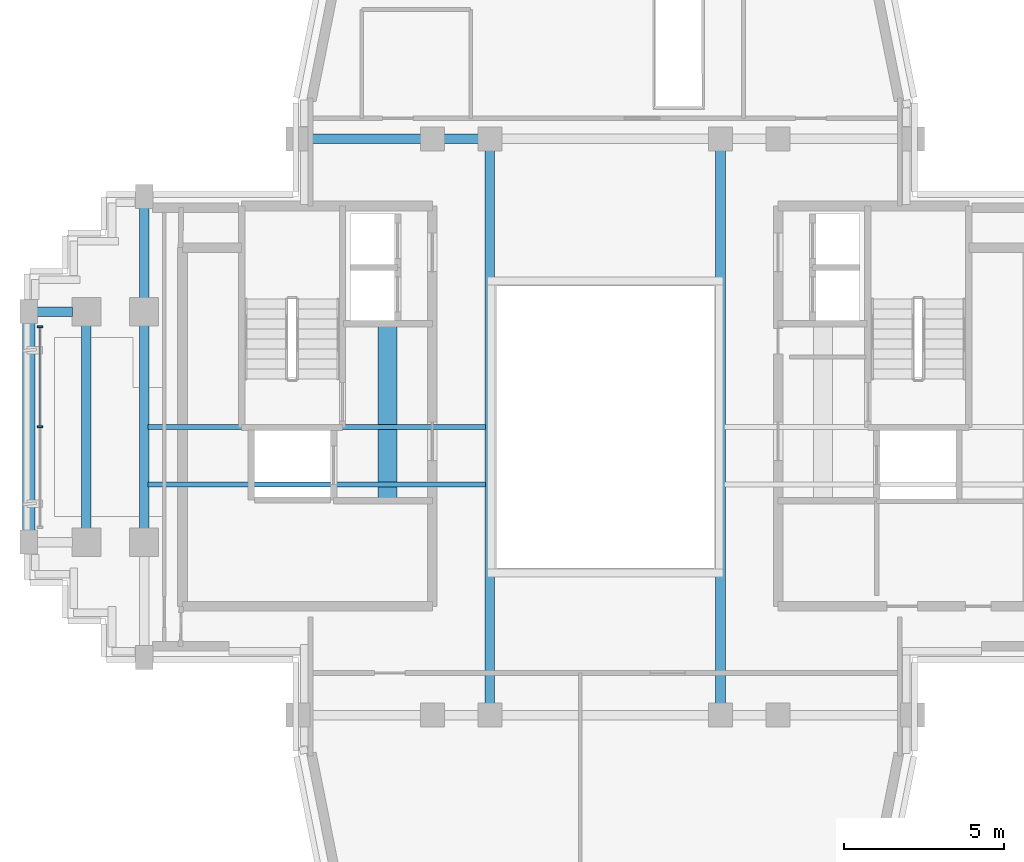
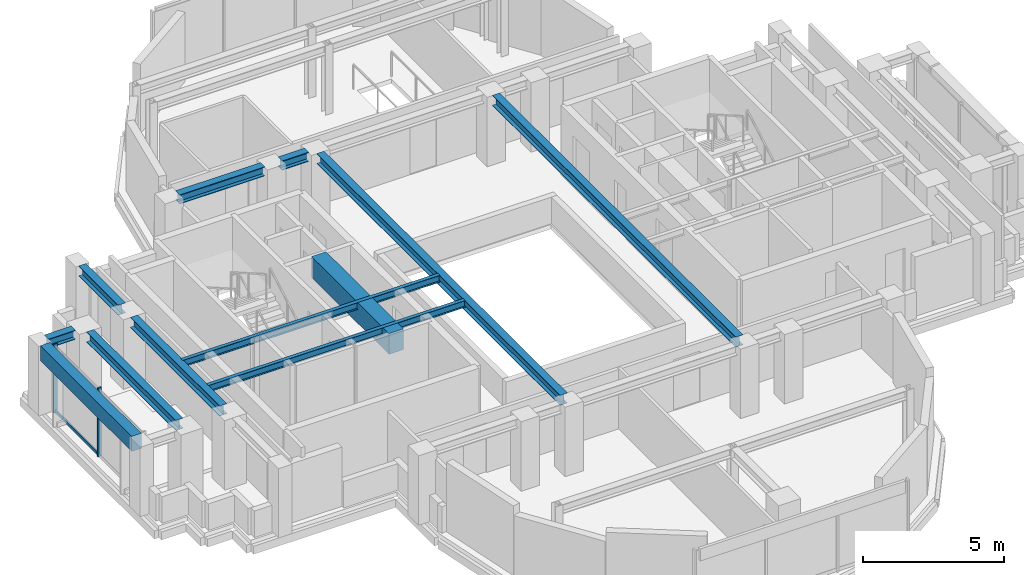
# One storey, part 4 of 12: 12 beams, 3 members, 1 element without a shape of its own.
"""IFC4 building model written with IfcOpenShell, lengths in metres."""

from ifc_helpers import new_model, si_unit, direction, frame, origin, origin_2d, place, context, subcontext, project, spatial, rectangle, i_section, extrude, source, transform, mapped, material, material_profile, profile_set, type_object, element, aggregate, save


model = new_model("IFC4")

# Units and contexts
model_context = context("Model", 3, precision=1e-05, world=origin(), true_north=direction((0.0, 1.0)))
body_context = subcontext(model_context, "Body", "Model", "MODEL_VIEW")
ifc_project = project(units=[si_unit("LENGTHUNIT", "METRE"), si_unit("AREAUNIT", "SQUARE_METRE"), si_unit("VOLUMEUNIT", "CUBIC_METRE"), si_unit("PLANEANGLEUNIT", "RADIAN"), si_unit("MASSUNIT", "GRAM", prefix="KILO")], contexts=[model_context])

# Site, building, storey
site_placement = place(None, origin())
site = spatial("IfcSite", under=ifc_project, at=site_placement, CompositionType="ELEMENT")
building_placement = place(site_placement, origin())
building = spatial("IfcBuilding", under=site, at=building_placement, Name="Keilestroom Media Tower", CompositionType="ELEMENT")
storey_placement = place(building_placement, frame((0.0, 0.0, 233.199951171875)))
storey = spatial("IfcBuildingStorey", under=building, at=storey_placement, Name="L64", CompositionType="ELEMENT", Elevation=233.199951171875)

# Beams
ifc_material_1 = material(Name="Concrete C70/85", Category="concrete")
ifc_material_profile_1 = material_profile(ifc_material_1, rectangle(XDim=0.60009765625, YDim=0.89990234375, at=origin_2d()), Name="RC 600x900")
ifc_profile_set_1 = profile_set([ifc_material_profile_1], Name="Concrete C70/85")
beam_type_1 = type_object("IfcBeamType", Name="Core-Coupling-Lintel-Beam-RC-600x900", PredefinedType="LINTEL", material=ifc_profile_set_1)
shared_shape_1 = source(origin(), body_context, "Body", "SweptSolid", [
    extrude(rectangle(XDim=0.60009765625, YDim=0.89990234375, at=origin_2d()), origin(), (0.0, 0.0, 1.0), 5.52001953125),
])
beam_1_placement = place(storey_placement, frame((-6.800048828125, -2.300048828125, 2.56005859375), z_axis=(0.0, 1.0, 0.0), x_axis=(-1.0, 0.0, 0.0)))
element("IfcBeam", 1, at=beam_1_placement, inside=storey, type_object=beam_type_1, Name="L64 Beam CLB-1 CLB-L64-W", PredefinedType="LINTEL", context=body_context, shape_type="MappedRepresentation", body=[
    mapped(shared_shape_1, transform((0.0, 0.0, 0.0), x_axis=(1.0, 0.0, 0.0), y_axis=(0.0, 1.0, 0.0), z_axis=(0.0, 0.0, 1.0), scale=1.0)),
])
ifc_material_2 = material(Name="Steel S355", Category="steel")
ifc_material_profile_2 = material_profile(ifc_material_2, i_section(OverallWidth=0.300048828125, OverallDepth=0.39990234375, WebThickness=0.011474609375, FlangeThickness=0.02392578125, at=origin_2d()), Name="HEB 400")
ifc_profile_set_2 = profile_set([ifc_material_profile_2], Name="Steel S355")
beam_type_2 = type_object("IfcBeamType", Name="Primary-Structural-Girder-HEB-400", PredefinedType="BEAM", material=ifc_profile_set_2)
shared_shape_2 = source(origin(), body_context, "Body", "SweptSolid", [
    extrude(i_section(OverallWidth=0.300048828125, OverallDepth=0.39990234375, WebThickness=0.011474609375, FlangeThickness=0.02392578125, at=origin_2d()), origin(), (0.0, 0.0, 1.0), 3.490234375),
])
beam_2_placement = place(storey_placement, frame((-9.2451171875, 9.0, 2.81005859375), z_axis=(1.0, 0.0, 0.0), x_axis=(0.0, 1.0, 0.0)))
element("IfcBeam", 2, at=beam_2_placement, inside=storey, type_object=beam_type_2, Name="L64 Beam BG-8 BM-L64-EW-016", PredefinedType="BEAM", context=body_context, shape_type="MappedRepresentation", body=[
    mapped(shared_shape_2, transform((0.0, 0.0, 0.0), x_axis=(1.0, 0.0, 0.0), y_axis=(0.0, 1.0, 0.0), z_axis=(0.0, 0.0, 1.0), scale=1.0)),
])
shared_shape_3 = source(origin(), body_context, "Body", "SweptSolid", [
    extrude(i_section(OverallWidth=0.300048828125, OverallDepth=0.39990234375, WebThickness=0.011474609375, FlangeThickness=0.02392578125, at=origin_2d()), origin(), (0.0, 0.0, 1.0), 1.08984375),
])
beam_3_placement = place(storey_placement, frame((-5.044921875, 9.0, 2.81005859375), z_axis=(1.0, 0.0, 0.0), x_axis=(0.0, 1.0, 0.0)))
element("IfcBeam", 3, at=beam_3_placement, inside=storey, type_object=beam_type_2, Name="L64 Beam BG-8 BM-L64-EW-017", PredefinedType="BEAM", context=body_context, shape_type="MappedRepresentation", body=[
    mapped(shared_shape_3, transform((0.0, 0.0, 0.0), x_axis=(1.0, 0.0, 0.0), y_axis=(0.0, 1.0, 0.0), z_axis=(0.0, 0.0, 1.0), scale=1.0)),
])
shared_shape_4 = source(origin(), body_context, "Body", "SweptSolid", [
    extrude(i_section(OverallWidth=0.300048828125, OverallDepth=0.39990234375, WebThickness=0.011474609375, FlangeThickness=0.02392578125, at=origin_2d()), origin(), (0.0, 0.0, 1.0), 1.115234375),
])
beam_4_placement = place(storey_placement, frame((-17.7451171875, 3.60009765625, 2.81005859375), z_axis=(1.0, 0.0, 0.0), x_axis=(0.0, 1.0, 0.0)))
element("IfcBeam", 4, at=beam_4_placement, inside=storey, type_object=beam_type_2, Name="L64 Beam BG-8 BM-L64-EW-012", PredefinedType="BEAM", context=body_context, shape_type="MappedRepresentation", body=[
    mapped(shared_shape_4, transform((0.0, 0.0, 0.0), x_axis=(1.0, 0.0, 0.0), y_axis=(0.0, 1.0, 0.0), z_axis=(0.0, 0.0, 1.0), scale=1.0)),
])
ifc_material_3 = material(Name="Precast concrete C40/50", Category="concrete")
ifc_material_profile_3 = material_profile(ifc_material_3, rectangle(XDim=0.39990234375, YDim=0.64990234375, at=origin_2d()), Name="PC 400x650")
ifc_profile_set_3 = profile_set([ifc_material_profile_3], Name="Precast concrete C40/50")
beam_type_3 = type_object("IfcBeamType", Name="Perimeter-Spandrel-Beam-PC-400x650", PredefinedType="SPANDREL", material=ifc_profile_set_3)
shared_shape_5 = source(origin(), body_context, "Body", "SweptSolid", [
    extrude(rectangle(XDim=0.39990234375, YDim=0.64990234375, at=origin_2d()), origin(), (0.0, 0.0, 1.0), 6.490234375),
])
beam_5_placement = place(storey_placement, frame((-18.0, -3.2451171875, 2.68505859375), z_axis=(0.0, 1.0, 0.0), x_axis=(-1.0, 0.0, 0.0)))
element("IfcBeam", 5, at=beam_5_placement, inside=storey, type_object=beam_type_3, Name="L64 Beam SPB-2 BM-L64-NS-025", PredefinedType="SPANDREL", context=body_context, shape_type="MappedRepresentation", body=[
    mapped(shared_shape_5, transform((0.0, 0.0, 0.0), x_axis=(1.0, 0.0, 0.0), y_axis=(0.0, 1.0, 0.0), z_axis=(0.0, 0.0, 1.0), scale=1.0)),
])
ifc_material_profile_4 = material_profile(ifc_material_2, i_section(OverallWidth=0.300048828125, OverallDepth=0.43994140625, WebThickness=0.011474609375, FlangeThickness=0.02099609375, at=origin_2d()), Name="HEA 450")
ifc_profile_set_4 = profile_set([ifc_material_profile_4], Name="Steel S355")
beam_type_4 = type_object("IfcBeamType", Name="Primary-Structural-Girder-HEA-450", PredefinedType="BEAM", material=ifc_profile_set_4)
shared_shape_6 = source(origin(), body_context, "Body", "SweptSolid", [
    extrude(i_section(OverallWidth=0.300048828125, OverallDepth=0.43994140625, WebThickness=0.011474609375, FlangeThickness=0.02099609375, at=origin_2d()), origin(), (0.0, 0.0, 1.0), 6.33984375),
])
for number, where, z_axis, x_axis, name in (
    (6, (-16.199951171875, -3.169921875, 2.7900390625), (0.0, 1.0, 0.0), (-1.0, 0.0, 0.0), "L64 Beam BG-11 BM-L64-NS-026"),
    (7, (-14.39990234375, -3.169921875, 2.7900390625), (0.0, 1.0, 0.0), (-1.0, 0.0, 0.0), "L64 Beam BG-11 BM-L64-NS-028"),
):
    element("IfcBeam", number, at=place(storey_placement, frame(where, z_axis=z_axis, x_axis=x_axis)), inside=storey, type_object=beam_type_4, Name=name, PredefinedType="BEAM", context=body_context, shape_type="MappedRepresentation", body=[
        mapped(shared_shape_6, transform((0.0, 0.0, 0.0), x_axis=(1.0, 0.0, 0.0), y_axis=(0.0, 1.0, 0.0), z_axis=(0.0, 0.0, 1.0), scale=1.0)),
    ])
shared_shape_7 = source(origin(), body_context, "Body", "SweptSolid", [
    extrude(i_section(OverallWidth=0.300048828125, OverallDepth=0.43994140625, WebThickness=0.011474609375, FlangeThickness=0.02099609375, at=origin_2d()), origin(), (0.0, 0.0, 1.0), 2.81494140625),
])
beam_6_placement = place(storey_placement, frame((-14.39990234375, 4.030029296875, 2.7900390625), z_axis=(0.0, 1.0, 0.0), x_axis=(-1.0, 0.0, 0.0)))
element("IfcBeam", 8, at=beam_6_placement, inside=storey, type_object=beam_type_4, Name="L64 Beam BG-11 BM-L64-NS-029", PredefinedType="BEAM", context=body_context, shape_type="MappedRepresentation", body=[
    mapped(shared_shape_7, transform((0.0, 0.0, 0.0), x_axis=(1.0, 0.0, 0.0), y_axis=(0.0, 1.0, 0.0), z_axis=(0.0, 0.0, 1.0), scale=1.0)),
])
shared_shape_8 = source(origin(), body_context, "Body", "SweptSolid", [
    extrude(i_section(OverallWidth=0.300048828125, OverallDepth=0.43994140625, WebThickness=0.011474609375, FlangeThickness=0.02099609375, at=origin_2d()), origin(), (0.0, 0.0, 1.0), 17.2900390625),
])
for number, where, z_axis, x_axis, name in (
    (9, (-3.60009765625, -8.64501953125, 2.7900390625), (0.0, 1.0, 0.0), (-1.0, 0.0, 0.0), "L64 Beam BG-11 BM-L64-NS-033"),
    (10, (3.60009765625, -8.64501953125, 2.7900390625), (0.0, 1.0, 0.0), (-1.0, 0.0, 0.0), "L64 Beam BG-11 BM-L64-NS-036"),
):
    element("IfcBeam", number, at=place(storey_placement, frame(where, z_axis=z_axis, x_axis=x_axis)), inside=storey, type_object=beam_type_4, Name=name, PredefinedType="BEAM", context=body_context, shape_type="MappedRepresentation", body=[
        mapped(shared_shape_8, transform((0.0, 0.0, 0.0), x_axis=(1.0, 0.0, 0.0), y_axis=(0.0, 1.0, 0.0), z_axis=(0.0, 0.0, 1.0), scale=1.0)),
    ])
ifc_material_profile_5 = material_profile(ifc_material_2, i_section(OverallWidth=0.14990234375, OverallDepth=0.300048828125, WebThickness=0.007080078125, FlangeThickness=0.0107421875, at=origin_2d()), Name="IPE 300")
ifc_profile_set_5 = profile_set([ifc_material_profile_5], Name="Steel S355")
beam_type_5 = type_object("IfcBeamType", Name="Secondary-Floor-Joist-IPE-300", PredefinedType="JOIST", material=ifc_profile_set_5)
shared_shape_9 = source(origin(), body_context, "Body", "SweptSolid", [
    extrude(i_section(OverallWidth=0.14990234375, OverallDepth=0.300048828125, WebThickness=0.007080078125, FlangeThickness=0.0107421875, at=origin_2d()), origin(), (0.0, 0.0, 1.0), 10.5400390625),
])
for number, where, z_axis, x_axis, name in (
    (11, (-14.27001953125, -1.800048828125, 2.860107421875), (1.0, 0.0, 0.0), (0.0, 1.0, 0.0), "L64 Beam BJ-7 JST-L64-045"),
    (12, (-14.27001953125, 0.0, 2.860107421875), (1.0, 0.0, 0.0), (0.0, 1.0, 0.0), "L64 Beam BJ-7 JST-L64-048"),
):
    element("IfcBeam", number, at=place(storey_placement, frame(where, z_axis=z_axis, x_axis=x_axis)), inside=storey, type_object=beam_type_5, Name=name, PredefinedType="JOIST", context=body_context, shape_type="MappedRepresentation", body=[
        mapped(shared_shape_9, transform((0.0, 0.0, 0.0), x_axis=(1.0, 0.0, 0.0), y_axis=(0.0, 1.0, 0.0), z_axis=(0.0, 0.0, 1.0), scale=1.0)),
    ])

# Curtain wall, members
ifc_material_4 = material(Name="Anodised Aluminium Alloy", Category="aluminium")
curtain_wall_type = type_object("IfcCurtainWallType", Name="Unitised-Curtain-Wall-CW-4", PredefinedType="NOTDEFINED", material=ifc_material_4)
curtain_wall_placement = place(storey_placement, origin())
curtain_wall = element("IfcCurtainWall", 13, at=curtain_wall_placement, inside=storey, type_object=curtain_wall_type, Name="L64 Curtain Wall CW-4 CW-L64-W-1", PredefinedType="NOTDEFINED")
ifc_material_profile_6 = material_profile(ifc_material_4, rectangle(XDim=0.06005859375, YDim=0.159912109375, at=origin_2d()), Name="ALU MULLION 60x160")
ifc_profile_set_6 = profile_set([ifc_material_profile_6], Name="Anodised Aluminium Alloy")
member_type_1 = type_object("IfcMemberType", Name="Curtain-Wall-Mullion-CW-4", PredefinedType="MULLION", material=ifc_profile_set_6)
shared_shape_10 = source(origin(), body_context, "Body", "SweptSolid", [
    extrude(rectangle(XDim=0.06005859375, YDim=0.159912109375, at=origin_2d()), origin(), (0.0, 0.0, 1.0), 2.97998046875),
])
member_1_placement = place(storey_placement, frame((-17.64990234375, 0.0, 0.0), z_axis=(0.0, 0.0, 1.0), x_axis=(0.0, 1.0, 0.0)))
member_1 = element("IfcMember", 14, at=member_1_placement, type_object=member_type_1, Name="CW-4 Mullion 01", PredefinedType="MULLION", context=body_context, shape_type="MappedRepresentation", body=[
    mapped(shared_shape_10, transform((0.0, 0.0, 0.0), x_axis=(1.0, 0.0, 0.0), y_axis=(0.0, 1.0, 0.0), z_axis=(0.0, 0.0, 1.0), scale=1.0)),
])
member_2_placement = place(storey_placement, frame((-17.64990234375, 3.135009765625, 0.0), z_axis=(0.0, 0.0, 1.0), x_axis=(0.0, 1.0, 0.0)))
member_2 = element("IfcMember", 15, at=member_2_placement, type_object=member_type_1, Name="CW-4 Mullion 02", PredefinedType="MULLION", context=body_context, shape_type="MappedRepresentation", body=[
    mapped(shared_shape_10, transform((0.0, 0.0, 0.0), x_axis=(1.0, 0.0, 0.0), y_axis=(0.0, 1.0, 0.0), z_axis=(0.0, 0.0, 1.0), scale=1.0)),
])
ifc_material_profile_7 = material_profile(ifc_material_4, rectangle(XDim=0.06005859375, YDim=0.1298828125, at=origin_2d()), Name="ALU TRANSOM 60x130")
ifc_profile_set_7 = profile_set([ifc_material_profile_7], Name="Anodised Aluminium Alloy")
member_type_2 = type_object("IfcMemberType", Name="Curtain-Wall-Transom-CW-4", PredefinedType="USERDEFINED", material=ifc_profile_set_7)
shared_shape_11 = source(origin(), body_context, "Body", "SweptSolid", [
    extrude(rectangle(XDim=0.06005859375, YDim=0.1298828125, at=origin_2d()), origin(), (0.0, 0.0, 1.0), 3.078857421875),
])
member_3_placement = place(storey_placement, frame((-17.64990234375, 0.028076171875, 0.06494140625), z_axis=(0.0, 1.0, 0.0), x_axis=(-1.0, 0.0, 0.0)))
member_3 = element("IfcMember", 16, at=member_3_placement, type_object=member_type_2, Name="CW-4 Transom 01.1", ObjectType="TRANSOM", PredefinedType="USERDEFINED", context=body_context, shape_type="MappedRepresentation", body=[
    mapped(shared_shape_11, transform((0.0, 0.0, 0.0), x_axis=(1.0, 0.0, 0.0), y_axis=(0.0, 1.0, 0.0), z_axis=(0.0, 0.0, 1.0), scale=1.0)),
])
aggregate(curtain_wall, [member_1, member_2, member_3])

save(model, "model.ifc")
